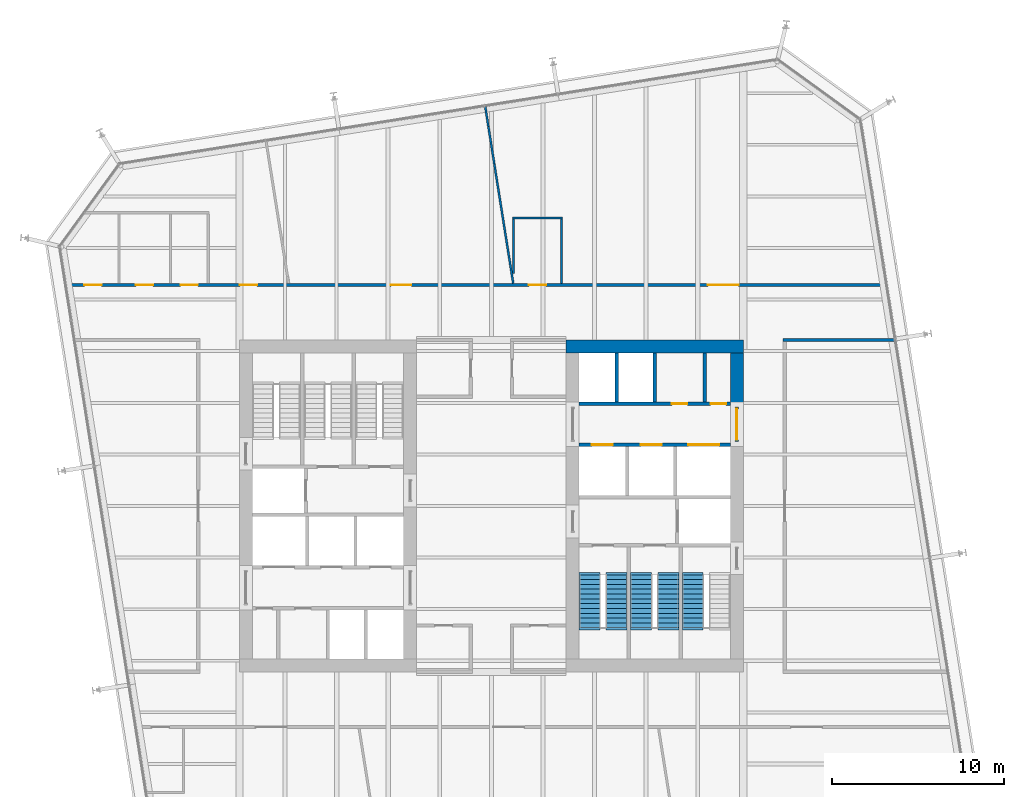
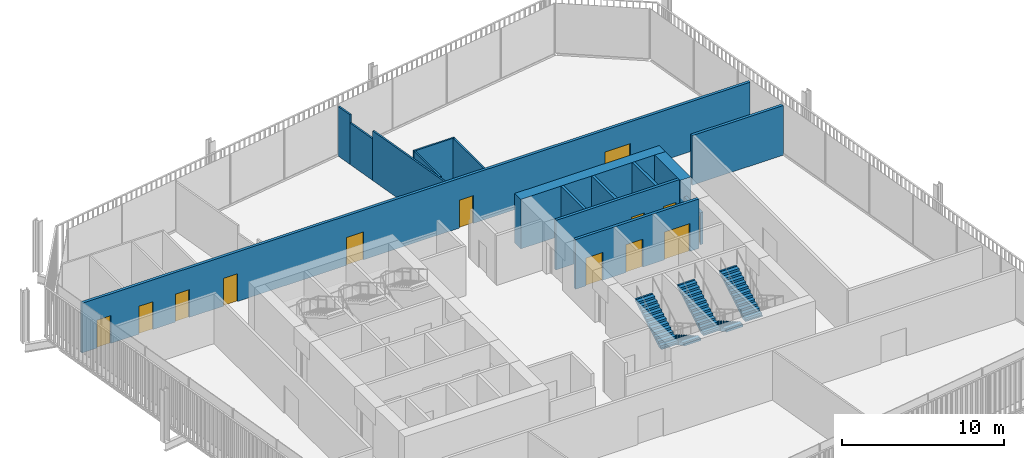
# One storey, part 19 of 21: 16 walls, 13 doors, 5 stair flights, 13 openings, 3 elements without a shape of their own.
"""IFC4 building model written with IfcOpenShell, lengths in metres."""

from ifc_helpers import new_model, si_unit, direction, frame, frame_2d, origin, place, context, subcontext, project, spatial, polyline, rectangle, outline, extrude, material, layer, layer_set, type_object, element, fill, aggregate, save


model = new_model("IFC4")

# Units and contexts
model_context = context("Model", 3, precision=1e-05, world=origin(), true_north=direction((0.0, 1.0)))
body_context = subcontext(model_context, "Body", "Model", "MODEL_VIEW")
ifc_project = project(units=[si_unit("LENGTHUNIT", "METRE"), si_unit("AREAUNIT", "SQUARE_METRE"), si_unit("VOLUMEUNIT", "CUBIC_METRE"), si_unit("PLANEANGLEUNIT", "RADIAN"), si_unit("MASSUNIT", "GRAM", prefix="KILO")], contexts=[model_context])

# Site, building, storey
site_placement = place(None, origin())
site = spatial("IfcSite", under=ifc_project, at=site_placement, CompositionType="ELEMENT")
building_placement = place(site_placement, origin())
building = spatial("IfcBuilding", under=site, at=building_placement, Name="Millrace Tower", CompositionType="ELEMENT")
storey_placement = place(building_placement, frame((0.0, 0.0, 133.39990234375)))
storey = spatial("IfcBuildingStorey", under=building, at=storey_placement, Name="L29", CompositionType="ELEMENT", Elevation=133.39990234375)

# Walls
ifc_material_1 = material(Name="Concrete C70", Category="concrete")
ifc_layer_1 = layer(ifc_material_1, 0.75)
ifc_layer_set_1 = layer_set([ifc_layer_1], Name="Concrete C70")
wall_type_1 = type_object("IfcWallType", Name="Core wall 750 Concrete C70", PredefinedType="SHEAR", material=ifc_layer_set_1)
wall_1_placement = place(storey_placement, frame((14.64990234375, 9.27490234375, 0.0), z_axis=(0.0, 0.0, 1.0), x_axis=(-1.0, 0.0, 0.0)))
element("IfcWall", 1, at=wall_1_placement, inside=storey, type_object=wall_type_1, Name="Core wall E L29", PredefinedType="SHEAR", context=body_context, shape_type="SweptSolid", body=[
    extrude(rectangle(XDim=10.2998046875, YDim=0.75, at=frame_2d((5.14990234375, 0.0))), origin(), (0.0, 0.0, 1.0), 3.739990234375),
])
wall_2_placement = place(storey_placement, frame((14.27490234375, 8.89990234375, 0.0), z_axis=(0.0, 0.0, 1.0), x_axis=(0.0, -1.0, 0.0)))
element("IfcWall", 2, at=wall_2_placement, inside=storey, type_object=wall_type_1, Name="Core wall E L29", PredefinedType="SHEAR", context=body_context, shape_type="SweptSolid", body=[
    extrude(rectangle(XDim=3.14990234375, YDim=0.75, at=frame_2d((1.574951171875, 0.0))), origin(), (0.0, 0.0, 1.0), 3.739990234375),
])
ifc_material_2 = material(Name="Masonry partition, fire-rated", Category="masonry")
ifc_layer_2 = layer(ifc_material_2, 0.199951171875)
ifc_layer_set_2 = layer_set([ifc_layer_2], Name="Masonry partition, fire-rated")
wall_type_2 = type_object("IfcWallType", Name="Corridor wall 200", PredefinedType="PARTITIONING", material=ifc_layer_set_2)
wall_3_placement = place(storey_placement, frame((16.949951171875, 9.64990234375, 0.0), z_axis=(0.0, 0.0, 1.0), x_axis=(1.0, 0.0, 0.0)))
element("IfcWall", 3, at=wall_3_placement, inside=storey, type_object=wall_type_2, Name="Corridor wall L29", PredefinedType="PARTITIONING", context=body_context, shape_type="SweptSolid", body=[
    extrude(rectangle(XDim=6.489501953125, YDim=0.199951171875, at=frame_2d((3.24462890625, 0.0))), origin(), (0.0, 0.0, 1.0), 3.739990234375),
])

# Wall, openings, doors
wall_4_placement = place(storey_placement, frame((-24.7138671875, 12.85009765625, 0.0), z_axis=(0.0, 0.0, 1.0), x_axis=(1.0, 0.0, 0.0)))
wall_4 = element("IfcWall", 4, at=wall_4_placement, inside=storey, type_object=wall_type_2, Name="Corridor wall L29", PredefinedType="PARTITIONING", context=body_context, shape_type="SweptSolid", body=[
    extrude(rectangle(XDim=47.646484375, YDim=0.199951171875, at=frame_2d((23.8232421875, 0.0))), origin(), (0.0, 0.0, 1.0), 3.739990234375),
])
opening_1_placement = place(wall_4_placement, frame((10.094970703125, 0.0, 0.0)))
opening_1 = element("IfcOpeningElement", 5, at=opening_1_placement, cuts=wall_4, Name="Opening 29-P005", PredefinedType="OPENING", context=body_context, shape_type="SweptSolid", body=[
    extrude(rectangle(XDim=1.0, YDim=2.10009765625, at=frame_2d((0.5, 1.050048828125))), frame((0.0, 0.10986328125, 0.0), z_axis=(0.0, -1.0, 0.0), x_axis=(1.0, 0.0, 0.0)), (0.0, 0.0, 1.0), 0.219970703125),
])
opening_2_placement = place(wall_4_placement, frame((1.051025390625, 0.0, 0.0)))
opening_2 = element("IfcOpeningElement", 6, at=opening_2_placement, cuts=wall_4, Name="Opening 29-P006", PredefinedType="OPENING", context=body_context, shape_type="SweptSolid", body=[
    extrude(rectangle(XDim=1.0, YDim=2.10009765625, at=frame_2d((0.5, 1.050048828125))), frame((0.0, 0.10986328125, 0.0), z_axis=(0.0, -1.0, 0.0), x_axis=(1.0, 0.0, 0.0)), (0.0, 0.0, 1.0), 0.219970703125),
])
opening_3_placement = place(wall_4_placement, frame((4.051025390625, 0.0, 0.0)))
opening_3 = element("IfcOpeningElement", 7, at=opening_3_placement, cuts=wall_4, Name="Opening 29-P007", PredefinedType="OPENING", context=body_context, shape_type="SweptSolid", body=[
    extrude(rectangle(XDim=1.0, YDim=2.10009765625, at=frame_2d((0.5, 1.050048828125))), frame((0.0, 0.10986328125, 0.0), z_axis=(0.0, -1.0, 0.0), x_axis=(1.0, 0.0, 0.0)), (0.0, 0.0, 1.0), 0.219970703125),
])
opening_4_placement = place(wall_4_placement, frame((6.65087890625, 0.0, 0.0)))
opening_4 = element("IfcOpeningElement", 8, at=opening_4_placement, cuts=wall_4, Name="Opening 29-P008", PredefinedType="OPENING", context=body_context, shape_type="SweptSolid", body=[
    extrude(rectangle(XDim=1.0, YDim=2.10009765625, at=frame_2d((0.5, 1.050048828125))), frame((0.0, 0.10986328125, 0.0), z_axis=(0.0, -1.0, 0.0), x_axis=(1.0, 0.0, 0.0)), (0.0, 0.0, 1.0), 0.219970703125),
])
opening_5_placement = place(wall_4_placement, frame((18.869384765625, 0.0, 0.0)))
opening_5 = element("IfcOpeningElement", 9, at=opening_5_placement, cuts=wall_4, Name="Opening 29-P009", PredefinedType="OPENING", context=body_context, shape_type="SweptSolid", body=[
    extrude(rectangle(XDim=1.199951171875, YDim=2.10009765625, at=frame_2d((0.60009765625, 1.050048828125))), frame((0.0, 0.10986328125, 0.0), z_axis=(0.0, -1.0, 0.0), x_axis=(1.0, 0.0, 0.0)), (0.0, 0.0, 1.0), 0.219970703125),
])
opening_6_placement = place(wall_4_placement, frame((37.298095703125, 0.0, 0.0)))
opening_6 = element("IfcOpeningElement", 10, at=opening_6_placement, cuts=wall_4, Name="Opening 29-P010", PredefinedType="OPENING", context=body_context, shape_type="SweptSolid", body=[
    extrude(rectangle(XDim=1.800048828125, YDim=2.10009765625, at=frame_2d((0.89990234375, 1.050048828125))), frame((0.0, 0.10986328125, 0.0), z_axis=(0.0, -1.0, 0.0), x_axis=(1.0, 0.0, 0.0)), (0.0, 0.0, 1.0), 0.219970703125),
])
opening_7_placement = place(wall_4_placement, frame((26.89990234375, 0.0, 0.0)))
opening_7 = element("IfcOpeningElement", 11, at=opening_7_placement, cuts=wall_4, Name="Opening 29-P011", PredefinedType="OPENING", context=body_context, shape_type="SweptSolid", body=[
    extrude(rectangle(XDim=1.0, YDim=2.10009765625, at=frame_2d((0.5, 1.050048828125))), frame((0.0, 0.10986328125, 0.0), z_axis=(0.0, -1.0, 0.0), x_axis=(1.0, 0.0, 0.0)), (0.0, 0.0, 1.0), 0.219970703125),
])
ifc_material_3 = material(Name="Steel door set, fire-rated", Category="steel")
door_type_1 = type_object("IfcDoorType", Name="Corridor door 1000 x 2100", OperationType="SINGLE_SWING_LEFT", PredefinedType="DOOR", material=ifc_material_3)
door_1_placement = place(opening_1_placement, origin())
door_1 = element("IfcDoor", 12, at=door_1_placement, inside=storey, type_object=door_type_1, Name="Door 29-P005", OperationType="SINGLE_SWING_LEFT", OverallHeight=2.10009765625, OverallWidth=1.0, PredefinedType="DOOR", context=body_context, shape_type="SweptSolid", body=[
    extrude(rectangle(XDim=1.0, YDim=2.10009765625, at=frame_2d((0.5, 1.050048828125))), frame((0.0, 0.02490234375, 0.0), z_axis=(0.0, -1.0, 0.0), x_axis=(1.0, 0.0, 0.0)), (0.0, 0.0, 1.0), 0.050048828125),
])
fill(opening_1, door_1)
door_2_placement = place(opening_2_placement, origin())
door_2 = element("IfcDoor", 13, at=door_2_placement, inside=storey, type_object=door_type_1, Name="Door 29-P006", OperationType="SINGLE_SWING_LEFT", OverallHeight=2.10009765625, OverallWidth=1.0, PredefinedType="DOOR", context=body_context, shape_type="SweptSolid", body=[
    extrude(rectangle(XDim=1.0, YDim=2.10009765625, at=frame_2d((0.5, 1.050048828125))), frame((0.0, 0.02490234375, 0.0), z_axis=(0.0, -1.0, 0.0), x_axis=(1.0, 0.0, 0.0)), (0.0, 0.0, 1.0), 0.050048828125),
])
fill(opening_2, door_2)
door_3_placement = place(opening_3_placement, origin())
door_3 = element("IfcDoor", 14, at=door_3_placement, inside=storey, type_object=door_type_1, Name="Door 29-P007", OperationType="SINGLE_SWING_LEFT", OverallHeight=2.10009765625, OverallWidth=1.0, PredefinedType="DOOR", context=body_context, shape_type="SweptSolid", body=[
    extrude(rectangle(XDim=1.0, YDim=2.10009765625, at=frame_2d((0.5, 1.050048828125))), frame((0.0, 0.02490234375, 0.0), z_axis=(0.0, -1.0, 0.0), x_axis=(1.0, 0.0, 0.0)), (0.0, 0.0, 1.0), 0.050048828125),
])
fill(opening_3, door_3)
door_4_placement = place(opening_4_placement, origin())
door_4 = element("IfcDoor", 15, at=door_4_placement, inside=storey, type_object=door_type_1, Name="Door 29-P008", OperationType="SINGLE_SWING_LEFT", OverallHeight=2.10009765625, OverallWidth=1.0, PredefinedType="DOOR", context=body_context, shape_type="SweptSolid", body=[
    extrude(rectangle(XDim=1.0, YDim=2.10009765625, at=frame_2d((0.5, 1.050048828125))), frame((0.0, 0.02490234375, 0.0), z_axis=(0.0, -1.0, 0.0), x_axis=(1.0, 0.0, 0.0)), (0.0, 0.0, 1.0), 0.050048828125),
])
fill(opening_4, door_4)
door_5_placement = place(opening_7_placement, origin())
door_5 = element("IfcDoor", 16, at=door_5_placement, inside=storey, type_object=door_type_1, Name="Door 29-P011", OperationType="SINGLE_SWING_RIGHT", OverallHeight=2.10009765625, OverallWidth=1.0, PredefinedType="DOOR", context=body_context, shape_type="SweptSolid", body=[
    extrude(rectangle(XDim=1.0, YDim=2.10009765625, at=frame_2d((0.5, 1.050048828125))), frame((0.0, 0.02490234375, 0.0), z_axis=(0.0, -1.0, 0.0), x_axis=(1.0, 0.0, 0.0)), (0.0, 0.0, 1.0), 0.050048828125),
])
fill(opening_7, door_5)
ifc_material_4 = material(Name="Steel door set, fire-rated", Category="steel")
door_type_2 = type_object("IfcDoorType", Name="Corridor door 1200 x 2100", OperationType="SINGLE_SWING_LEFT", PredefinedType="DOOR", material=ifc_material_4)
door_6_placement = place(opening_5_placement, origin())
door_6 = element("IfcDoor", 17, at=door_6_placement, inside=storey, type_object=door_type_2, Name="Door 29-P009", OperationType="SINGLE_SWING_LEFT", OverallHeight=2.10009765625, OverallWidth=1.199951171875, PredefinedType="DOOR", context=body_context, shape_type="SweptSolid", body=[
    extrude(rectangle(XDim=1.199951171875, YDim=2.10009765625, at=frame_2d((0.60009765625, 1.050048828125))), frame((0.0, 0.02490234375, 0.0), z_axis=(0.0, -1.0, 0.0), x_axis=(1.0, 0.0, 0.0)), (0.0, 0.0, 1.0), 0.050048828125),
])
fill(opening_5, door_6)
ifc_material_5 = material(Name="Steel door set, fire-rated", Category="steel")
door_type_3 = type_object("IfcDoorType", Name="Corridor door 1800 x 2100", OperationType="DOUBLE_DOOR_SINGLE_SWING", PredefinedType="DOOR", material=ifc_material_5)
door_7_placement = place(opening_6_placement, frame((1.800048828125, 0.0, 0.0), z_axis=(0.0, 0.0, 1.0), x_axis=(-1.0, 0.0, 0.0)))
door_7 = element("IfcDoor", 18, at=door_7_placement, inside=storey, type_object=door_type_3, Name="Door 29-P010", OperationType="DOUBLE_DOOR_SINGLE_SWING", OverallHeight=2.10009765625, OverallWidth=1.800048828125, PredefinedType="DOOR", context=body_context, shape_type="SweptSolid", body=[
    extrude(rectangle(XDim=1.800048828125, YDim=2.10009765625, at=frame_2d((0.89990234375, 1.050048828125))), frame((0.0, 0.02490234375, 0.0), z_axis=(0.0, -1.0, 0.0), x_axis=(1.0, 0.0, 0.0)), (0.0, 0.0, 1.0), 0.050048828125),
])
fill(opening_6, door_7)

ifc_material_6 = material(Name="Masonry partition, fire-rated", Category="masonry")
ifc_layer_3 = layer(ifc_material_6, 0.199951171875)
ifc_layer_set_3 = layer_set([ifc_layer_3], Name="Masonry partition, fire-rated")
wall_type_3 = type_object("IfcWallType", Name="Lift shaft wall 200", PredefinedType="PARTITIONING", material=ifc_layer_set_3)
wall_5_placement = place(storey_placement, frame((13.89990234375, 5.949951171875, 0.0), z_axis=(0.0, 0.0, 1.0), x_axis=(-1.0, 0.0, 0.0)))
wall_5 = element("IfcWall", 19, at=wall_5_placement, inside=storey, type_object=wall_type_3, Name="Lift shaft wall E L29", PredefinedType="PARTITIONING", context=body_context, shape_type="SweptSolid", body=[
    extrude(rectangle(XDim=8.7998046875, YDim=0.199951171875, at=frame_2d((4.39990234375, 0.0))), origin(), (0.0, 0.0, 1.0), 3.739990234375),
])
opening_8_placement = place(wall_5_placement, frame((0.25244140625, 0.0, 0.0)))
opening_8 = element("IfcOpeningElement", 20, at=opening_8_placement, cuts=wall_5, Name="Opening 29-C013", PredefinedType="OPENING", context=body_context, shape_type="SweptSolid", body=[
    extrude(rectangle(XDim=0.89990234375, YDim=2.10009765625, at=frame_2d((0.449951171875, 1.050048828125))), frame((0.0, 0.10986328125, 0.0), z_axis=(0.0, -1.0, 0.0), x_axis=(1.0, 0.0, 0.0)), (0.0, 0.0, 1.0), 0.219970703125),
])
opening_9_placement = place(wall_5_placement, frame((2.50244140625, 0.0, 0.0)))
opening_9 = element("IfcOpeningElement", 21, at=opening_9_placement, cuts=wall_5, Name="Opening 29-C014", PredefinedType="OPENING", context=body_context, shape_type="SweptSolid", body=[
    extrude(rectangle(XDim=0.89990234375, YDim=2.10009765625, at=frame_2d((0.449951171875, 1.050048828125))), frame((0.0, 0.10986328125, 0.0), z_axis=(0.0, -1.0, 0.0), x_axis=(1.0, 0.0, 0.0)), (0.0, 0.0, 1.0), 0.219970703125),
])
ifc_material_7 = material(Name="Steel door, fire-rated", Category="steel")
door_type_4 = type_object("IfcDoorType", Name="Service room door 900 x 2100", OperationType="SINGLE_SWING_LEFT", PredefinedType="DOOR", material=ifc_material_7)
door_8_placement = place(opening_8_placement, frame((0.89990234375, 0.0, 0.0), z_axis=(0.0, 0.0, 1.0), x_axis=(-1.0, 0.0, 0.0)))
door_8 = element("IfcDoor", 22, at=door_8_placement, inside=storey, type_object=door_type_4, Name="Service room door 29-C013", OperationType="SINGLE_SWING_RIGHT", OverallHeight=2.10009765625, OverallWidth=0.89990234375, PredefinedType="DOOR", context=body_context, shape_type="SweptSolid", body=[
    extrude(rectangle(XDim=0.89990234375, YDim=2.10009765625, at=frame_2d((0.449951171875, 1.050048828125))), frame((0.0, 0.02490234375, 0.0), z_axis=(0.0, -1.0, 0.0), x_axis=(1.0, 0.0, 0.0)), (0.0, 0.0, 1.0), 0.050048828125),
])
fill(opening_8, door_8)
door_9_placement = place(opening_9_placement, frame((0.89990234375, 0.0, 0.0), z_axis=(0.0, 0.0, 1.0), x_axis=(-1.0, 0.0, 0.0)))
door_9 = element("IfcDoor", 23, at=door_9_placement, inside=storey, type_object=door_type_4, Name="Service room door 29-C014", OperationType="SINGLE_SWING_RIGHT", OverallHeight=2.10009765625, OverallWidth=0.89990234375, PredefinedType="DOOR", context=body_context, shape_type="SweptSolid", body=[
    extrude(rectangle(XDim=0.89990234375, YDim=2.10009765625, at=frame_2d((0.449951171875, 1.050048828125))), frame((0.0, 0.02490234375, 0.0), z_axis=(0.0, -1.0, 0.0), x_axis=(1.0, 0.0, 0.0)), (0.0, 0.0, 1.0), 0.050048828125),
])
fill(opening_9, door_9)

wall_6_placement = place(storey_placement, frame((13.89990234375, 3.550048828125, 0.0), z_axis=(0.0, 0.0, 1.0), x_axis=(-1.0, 0.0, 0.0)))
wall_6 = element("IfcWall", 24, at=wall_6_placement, inside=storey, type_object=wall_type_3, Name="Lift shaft wall E L29", PredefinedType="PARTITIONING", context=body_context, shape_type="SweptSolid", body=[
    extrude(rectangle(XDim=8.7998046875, YDim=0.199951171875, at=frame_2d((4.39990234375, 0.0))), origin(), (0.0, 0.0, 1.0), 3.739990234375),
])
opening_10_placement = place(wall_6_placement, frame((0.64990234375, 0.0, 0.0)))
opening_10 = element("IfcOpeningElement", 25, at=opening_10_placement, cuts=wall_6, Name="Opening 29-LD13", PredefinedType="OPENING", context=body_context, shape_type="SweptSolid", body=[
    extrude(rectangle(XDim=1.800048828125, YDim=2.10009765625, at=frame_2d((0.89990234375, 1.050048828125))), frame((0.0, 0.10986328125, 0.0), z_axis=(0.0, -1.0, 0.0), x_axis=(1.0, 0.0, 0.0)), (0.0, 0.0, 1.0), 0.219970703125),
])
opening_11_placement = place(wall_6_placement, frame((4.0, 0.0, 0.0)))
opening_11 = element("IfcOpeningElement", 26, at=opening_11_placement, cuts=wall_6, Name="Opening 29-LD14", PredefinedType="OPENING", context=body_context, shape_type="SweptSolid", body=[
    extrude(rectangle(XDim=1.199951171875, YDim=2.10009765625, at=frame_2d((0.60009765625, 1.050048828125))), frame((0.0, 0.10986328125, 0.0), z_axis=(0.0, -1.0, 0.0), x_axis=(1.0, 0.0, 0.0)), (0.0, 0.0, 1.0), 0.219970703125),
])
opening_12_placement = place(wall_6_placement, frame((6.85009765625, 0.0, 0.0)))
opening_12 = element("IfcOpeningElement", 27, at=opening_12_placement, cuts=wall_6, Name="Opening 29-LD15", PredefinedType="OPENING", context=body_context, shape_type="SweptSolid", body=[
    extrude(rectangle(XDim=1.199951171875, YDim=2.10009765625, at=frame_2d((0.60009765625, 1.050048828125))), frame((0.0, 0.10986328125, 0.0), z_axis=(0.0, -1.0, 0.0), x_axis=(1.0, 0.0, 0.0)), (0.0, 0.0, 1.0), 0.219970703125),
])
ifc_material_8 = material(Name="Stainless steel, fire-rated", Category="steel")
door_type_5 = type_object("IfcDoorType", Name="Lift landing door 1200 x 2100", OperationType="DOUBLE_DOOR_SLIDING", PredefinedType="DOOR", material=ifc_material_8)
door_10_placement = place(opening_11_placement, origin())
door_10 = element("IfcDoor", 28, at=door_10_placement, inside=storey, type_object=door_type_5, Name="Lift landing door LF14 L29", OperationType="DOUBLE_DOOR_SLIDING", OverallHeight=2.10009765625, OverallWidth=1.199951171875, PredefinedType="DOOR", context=body_context, shape_type="SweptSolid", body=[
    extrude(rectangle(XDim=1.199951171875, YDim=2.10009765625, at=frame_2d((0.60009765625, 1.050048828125))), frame((0.0, 0.02490234375, 0.0), z_axis=(0.0, -1.0, 0.0), x_axis=(1.0, 0.0, 0.0)), (0.0, 0.0, 1.0), 0.050048828125),
])
fill(opening_11, door_10)
door_11_placement = place(opening_12_placement, origin())
door_11 = element("IfcDoor", 29, at=door_11_placement, inside=storey, type_object=door_type_5, Name="Lift landing door LF15 L29", OperationType="DOUBLE_DOOR_SLIDING", OverallHeight=2.10009765625, OverallWidth=1.199951171875, PredefinedType="DOOR", context=body_context, shape_type="SweptSolid", body=[
    extrude(rectangle(XDim=1.199951171875, YDim=2.10009765625, at=frame_2d((0.60009765625, 1.050048828125))), frame((0.0, 0.02490234375, 0.0), z_axis=(0.0, -1.0, 0.0), x_axis=(1.0, 0.0, 0.0)), (0.0, 0.0, 1.0), 0.050048828125),
])
fill(opening_12, door_11)
ifc_material_9 = material(Name="Stainless steel, fire-rated", Category="steel")
door_type_6 = type_object("IfcDoorType", Name="Lift landing door 1800 x 2100", OperationType="DOUBLE_DOOR_SLIDING", PredefinedType="DOOR", material=ifc_material_9)
door_12_placement = place(opening_10_placement, origin())
door_12 = element("IfcDoor", 30, at=door_12_placement, inside=storey, type_object=door_type_6, Name="Lift landing door LF13 L29", OperationType="DOUBLE_DOOR_SLIDING", OverallHeight=2.10009765625, OverallWidth=1.800048828125, PredefinedType="DOOR", context=body_context, shape_type="SweptSolid", body=[
    extrude(rectangle(XDim=1.800048828125, YDim=2.10009765625, at=frame_2d((0.89990234375, 1.050048828125))), frame((0.0, 0.02490234375, 0.0), z_axis=(0.0, -1.0, 0.0), x_axis=(1.0, 0.0, 0.0)), (0.0, 0.0, 1.0), 0.050048828125),
])
fill(opening_10, door_12)

# Walls
for number, where, z_axis, x_axis, name in (
    (31, (9.5, 8.89990234375, 0.0), (0.0, 0.0, 1.0), (0.0, -1.0, 0.0), "Lift shaft wall E L29"),
    (32, (7.300048828125, 8.89990234375, 0.0), (0.0, 0.0, 1.0), (0.0, -1.0, 0.0), "Lift shaft wall E L29"),
):
    element("IfcWall", number, at=place(storey_placement, frame(where, z_axis=z_axis, x_axis=x_axis)), inside=storey, type_object=wall_type_3, Name=name, PredefinedType="PARTITIONING", context=body_context, shape_type="SweptSolid", body=[
        extrude(rectangle(XDim=2.849853515625, YDim=0.199951171875, at=frame_2d((1.4248046875, 0.0))), origin(), (0.0, 0.0, 1.0), 3.739990234375),
    ])

# Wall, opening, door
ifc_material_10 = material(Name="Masonry partition, fire-rated", Category="masonry")
ifc_layer_4 = layer(ifc_material_10, 0.199951171875)
ifc_layer_set_4 = layer_set([ifc_layer_4], Name="Masonry partition, fire-rated")
wall_type_4 = type_object("IfcWallType", Name="Lobby wall 200", PredefinedType="PARTITIONING", material=ifc_layer_set_4)
wall_7_placement = place(storey_placement, frame((14.27490234375, 5.75, 0.0), z_axis=(0.0, 0.0, 1.0), x_axis=(0.0, -1.0, 0.0)))
wall_7 = element("IfcWall", 33, at=wall_7_placement, inside=storey, type_object=wall_type_4, Name="Lobby wall E L29", PredefinedType="PARTITIONING", context=body_context, shape_type="SweptSolid", body=[
    extrude(rectangle(XDim=2.0, YDim=0.199951171875, at=frame_2d((1.0, 0.0))), origin(), (0.0, 0.0, 1.0), 2.400146484375),
])
opening_13_placement = place(wall_7_placement, frame((0.10009765625, 0.0, 0.0)))
opening_13 = element("IfcOpeningElement", 34, at=opening_13_placement, cuts=wall_7, Name="Opening 29-C009", PredefinedType="OPENING", context=body_context, shape_type="SweptSolid", body=[
    extrude(rectangle(XDim=1.800048828125, YDim=2.10009765625, at=frame_2d((0.89990234375, 1.050048828125))), frame((0.0, 0.10986328125, 0.0), z_axis=(0.0, -1.0, 0.0), x_axis=(1.0, 0.0, 0.0)), (0.0, 0.0, 1.0), 0.219970703125),
])
ifc_material_11 = material(Name="Steel door, fire-rated", Category="steel")
door_type_7 = type_object("IfcDoorType", Name="Lobby door 1800 x 2100", OperationType="DOUBLE_DOOR_SINGLE_SWING", PredefinedType="DOOR", material=ifc_material_11)
door_13_placement = place(opening_13_placement, origin())
door_13 = element("IfcDoor", 35, at=door_13_placement, inside=storey, type_object=door_type_7, Name="Lobby door 29-C009", OperationType="DOUBLE_DOOR_SINGLE_SWING", OverallHeight=2.10009765625, OverallWidth=1.800048828125, PredefinedType="DOOR", context=body_context, shape_type="SweptSolid", body=[
    extrude(rectangle(XDim=1.800048828125, YDim=2.10009765625, at=frame_2d((0.89990234375, 1.050048828125))), frame((0.0, 0.02490234375, 0.0), z_axis=(0.0, -1.0, 0.0), x_axis=(1.0, 0.0, 0.0)), (0.0, 0.0, 1.0), 0.050048828125),
])
fill(opening_13, door_13)

# Walls
ifc_material_12 = material(Name="Gypsum board partition")
ifc_layer_5 = layer(ifc_material_12, 0.1201171875)
ifc_layer_set_5 = layer_set([ifc_layer_5], Name="Gypsum board partition")
wall_type_5 = type_object("IfcWallType", Name="Partition wall 120", PredefinedType="PARTITIONING", material=ifc_layer_set_5)
wall_8_placement = place(storey_placement, frame((-0.35791015625, 23.2265625, 0.0), z_axis=(0.0, 0.0, 1.0), x_axis=(0.156600767985, -0.987661986444, 0.0)))
element("IfcWall", 36, at=wall_8_placement, inside=storey, type_object=wall_type_5, Name="Partition wall L29", PredefinedType="PARTITIONING", context=body_context, shape_type="SweptSolid", body=[
    extrude(rectangle(XDim=1.1787109375, YDim=0.1201171875, at=frame_2d((0.58935546875, 0.0))), origin(), (0.0, 0.0, 1.0), 3.739990234375),
])
wall_9_placement = place(storey_placement, frame((-0.17333984375, 22.0625, 0.0), z_axis=(0.0, 0.0, 1.0), x_axis=(0.156375374173, -0.987697697857, 0.0)))
element("IfcWall", 37, at=wall_9_placement, inside=storey, type_object=wall_type_5, Name="Partition wall L29", PredefinedType="PARTITIONING", context=body_context, shape_type="SweptSolid", body=[
    extrude(rectangle(XDim=2.217041015625, YDim=0.1201171875, at=frame_2d((1.1083984375, 0.0))), origin(), (0.0, 0.0, 1.0), 3.133056640625),
])
wall_10_placement = place(storey_placement, frame((0.17333984375, 19.872802734375, 0.0), z_axis=(0.0, 0.0, 1.0), x_axis=(0.156470438689, -0.987682642257, 0.0)))
element("IfcWall", 38, at=wall_10_placement, inside=storey, type_object=wall_type_5, Name="Partition wall L29", PredefinedType="PARTITIONING", context=body_context, shape_type="SweptSolid", body=[
    extrude(rectangle(XDim=7.010498046875, YDim=0.1201171875, at=frame_2d((3.50537109375, 0.0))), origin(), (0.0, 0.0, 1.0), 3.739990234375),
])
wall_11_placement = place(storey_placement, frame((1.22607421875, 16.75, 0.0), z_axis=(0.0, 0.0, 1.0), x_axis=(1.0, 0.0, 0.0)))
element("IfcWall", 39, at=wall_11_placement, inside=storey, type_object=wall_type_5, Name="Partition wall L29", PredefinedType="PARTITIONING", context=body_context, shape_type="SweptSolid", body=[
    extrude(rectangle(XDim=2.919921875, YDim=0.1201171875, at=frame_2d((1.4599609375, 0.0))), origin(), (0.0, 0.0, 1.0), 3.739990234375),
])
wall_12_placement = place(storey_placement, frame((4.0859375, 12.949951171875, 0.0), z_axis=(0.0, 0.0, 1.0), x_axis=(0.0, 1.0, 0.0)))
element("IfcWall", 40, at=wall_12_placement, inside=storey, type_object=wall_type_5, Name="Partition wall L29", PredefinedType="PARTITIONING", context=body_context, shape_type="SweptSolid", body=[
    extrude(rectangle(XDim=3.739990234375, YDim=0.1201171875, at=frame_2d((1.8701171875, 0.0))), origin(), (0.0, 0.0, 1.0), 3.739990234375),
])
wall_13_placement = place(storey_placement, frame((1.285888671875, 13.517578125, 0.0), z_axis=(0.0, 0.0, 1.0), x_axis=(0.0, 1.0, 0.0)))
element("IfcWall", 41, at=wall_13_placement, inside=storey, type_object=wall_type_5, Name="Partition wall L29", PredefinedType="PARTITIONING", context=body_context, shape_type="SweptSolid", body=[
    extrude(rectangle(XDim=3.17236328125, YDim=0.1201171875, at=frame_2d((1.586181640625, 0.0))), origin(), (0.0, 0.0, 1.0), 3.739990234375),
])
ifc_material_13 = material(Name="Masonry partition, fire-rated", Category="masonry")
ifc_layer_6 = layer(ifc_material_13, 0.199951171875)
ifc_layer_set_6 = layer_set([ifc_layer_6], Name="Masonry partition, fire-rated")
wall_type_6 = type_object("IfcWallType", Name="Room partition 200", PredefinedType="PARTITIONING", material=ifc_layer_set_6)
wall_14_placement = place(storey_placement, frame((12.39501953125, 8.89990234375, 0.0), z_axis=(0.0, 0.0, 1.0), x_axis=(0.0, -1.0, 0.0)))
element("IfcWall", 42, at=wall_14_placement, inside=storey, type_object=wall_type_6, Name="Room partition E L29", PredefinedType="PARTITIONING", context=body_context, shape_type="SweptSolid", body=[
    extrude(rectangle(XDim=2.849853515625, YDim=0.199951171875, at=frame_2d((1.4248046875, 0.0))), origin(), (0.0, 0.0, 1.0), 3.739990234375),
])

# Stair, stair flight
ifc_material_14 = material(Name="Concrete C35", Category="concrete")
stair_type = type_object("IfcStairType", Name="Exit stair", PredefinedType="HALF_TURN_STAIR", material=ifc_material_14)
placement = place(storey_placement, origin())
stair_1 = element("IfcStair", 43, at=placement, inside=storey, type_object=stair_type, Name="Stair 1 E L29", PredefinedType="HALF_TURN_STAIR")
ifc_material_15 = material(Name="Concrete C35", Category="concrete")
stair_flight_type = type_object("IfcStairFlightType", Name="Exit stair flight", PredefinedType="STRAIGHT", material=ifc_material_15)
stair_flight_1_placement = place(storey_placement, frame((11.7099609375, -7.080078125, 1.9501953125), z_axis=(0.0, 0.0, 1.0), x_axis=(0.0, 1.0, 0.0)))
stair_flight_1 = element("IfcStairFlight", 44, at=stair_flight_1_placement, type_object=stair_flight_type, Name="ST12 flight 2", NumberOfRisers=12, NumberOfTreads=11, PredefinedType="STRAIGHT", RiserHeight=0.1625, TreadLength=0.28, context=body_context, shape_type="SweptSolid", body=[
    extrude(outline(polyline([(-0.1201171875, -0.0400390625), (-0.1201171875, 0.0), (0.0, 0.0), (0.0, 0.16259765625), (0.280029296875, 0.16259765625), (0.280029296875, 0.324951171875), (0.56005859375, 0.324951171875), (0.56005859375, 0.487548828125), (0.840087890625, 0.487548828125), (0.840087890625, 0.64990234375), (1.1201171875, 0.64990234375), (1.1201171875, 0.8125), (1.39990234375, 0.8125), (1.39990234375, 0.97509765625), (1.679931640625, 0.97509765625), (1.679931640625, 1.137451171875), (1.9599609375, 1.137451171875), (1.9599609375, 1.300048828125), (2.239990234375, 1.300048828125), (2.239990234375, 1.46240234375), (2.52001953125, 1.46240234375), (2.52001953125, 1.625), (2.800048828125, 1.625), (2.800048828125, 1.78759765625), (3.080078125, 1.78759765625), (3.080078125, 1.8076171875), (3.199951171875, 1.8076171875), (3.199951171875, 1.6142578125), (3.080078125, 1.6142578125), (0.298583984375, 0.0), (0.298583984375, -0.0400390625), (-0.1201171875, -0.0400390625)])), frame((0.0, 0.60986328125, 0.0), z_axis=(0.0, -1.0, 0.0), x_axis=(1.0, 0.0, 0.0)), (0.0, 0.0, 1.0), 1.219970703125),
])
aggregate(stair_1, [stair_flight_1])

# Stair, stair flights
stair_2 = element("IfcStair", 45, at=placement, inside=storey, type_object=stair_type, Name="Stair 2 E L29", PredefinedType="HALF_TURN_STAIR")
stair_flight_2_placement = place(storey_placement, frame((10.2900390625, -4.0, 0.0), z_axis=(0.0, 0.0, 1.0), x_axis=(0.0, -1.0, 0.0)))
stair_flight_2 = element("IfcStairFlight", 46, at=stair_flight_2_placement, type_object=stair_flight_type, Name="ST12 flight 1", NumberOfRisers=12, NumberOfTreads=11, PredefinedType="STRAIGHT", RiserHeight=0.1625, TreadLength=0.28, context=body_context, shape_type="SweptSolid", body=[
    extrude(outline(polyline([(-0.1201171875, -0.0400390625), (-0.1201171875, 0.0), (0.0, 0.0), (0.0, 0.16259765625), (0.280029296875, 0.16259765625), (0.280029296875, 0.324951171875), (0.56005859375, 0.324951171875), (0.56005859375, 0.487548828125), (0.840087890625, 0.487548828125), (0.840087890625, 0.64990234375), (1.1201171875, 0.64990234375), (1.1201171875, 0.8125), (1.39990234375, 0.8125), (1.39990234375, 0.97509765625), (1.679931640625, 0.97509765625), (1.679931640625, 1.137451171875), (1.9599609375, 1.137451171875), (1.9599609375, 1.300048828125), (2.239990234375, 1.300048828125), (2.239990234375, 1.46240234375), (2.52001953125, 1.46240234375), (2.52001953125, 1.625), (2.800048828125, 1.625), (2.800048828125, 1.78759765625), (3.080078125, 1.78759765625), (3.080078125, 1.8076171875), (3.199951171875, 1.8076171875), (3.199951171875, 1.6142578125), (3.080078125, 1.6142578125), (0.298583984375, 0.0), (0.298583984375, -0.0400390625), (-0.1201171875, -0.0400390625)])), frame((0.0, 0.60986328125, 0.0), z_axis=(0.0, -1.0, 0.0), x_axis=(1.0, 0.0, 0.0)), (0.0, 0.0, 1.0), 1.219970703125),
])
stair_flight_3_placement = place(storey_placement, frame((8.7099609375, -7.080078125, 1.9501953125), z_axis=(0.0, 0.0, 1.0), x_axis=(0.0, 1.0, 0.0)))
stair_flight_3 = element("IfcStairFlight", 47, at=stair_flight_3_placement, type_object=stair_flight_type, Name="ST12 flight 2", NumberOfRisers=12, NumberOfTreads=11, PredefinedType="STRAIGHT", RiserHeight=0.1625, TreadLength=0.28, context=body_context, shape_type="SweptSolid", body=[
    extrude(outline(polyline([(-0.1201171875, -0.0400390625), (-0.1201171875, 0.0), (0.0, 0.0), (0.0, 0.16259765625), (0.280029296875, 0.16259765625), (0.280029296875, 0.324951171875), (0.56005859375, 0.324951171875), (0.56005859375, 0.487548828125), (0.840087890625, 0.487548828125), (0.840087890625, 0.64990234375), (1.1201171875, 0.64990234375), (1.1201171875, 0.8125), (1.39990234375, 0.8125), (1.39990234375, 0.97509765625), (1.679931640625, 0.97509765625), (1.679931640625, 1.137451171875), (1.9599609375, 1.137451171875), (1.9599609375, 1.300048828125), (2.239990234375, 1.300048828125), (2.239990234375, 1.46240234375), (2.52001953125, 1.46240234375), (2.52001953125, 1.625), (2.800048828125, 1.625), (2.800048828125, 1.78759765625), (3.080078125, 1.78759765625), (3.080078125, 1.8076171875), (3.199951171875, 1.8076171875), (3.199951171875, 1.6142578125), (3.080078125, 1.6142578125), (0.298583984375, 0.0), (0.298583984375, -0.0400390625), (-0.1201171875, -0.0400390625)])), frame((0.0, 0.60986328125, 0.0), z_axis=(0.0, -1.0, 0.0), x_axis=(1.0, 0.0, 0.0)), (0.0, 0.0, 1.0), 1.219970703125),
])
aggregate(stair_2, [stair_flight_2, stair_flight_3])

stair_3 = element("IfcStair", 48, at=placement, inside=storey, type_object=stair_type, Name="Stair 3 E L29", PredefinedType="HALF_TURN_STAIR")
stair_flight_4_placement = place(storey_placement, frame((7.2900390625, -4.0, 0.0), z_axis=(0.0, 0.0, 1.0), x_axis=(0.0, -1.0, 0.0)))
stair_flight_4 = element("IfcStairFlight", 49, at=stair_flight_4_placement, type_object=stair_flight_type, Name="ST12 flight 1", NumberOfRisers=12, NumberOfTreads=11, PredefinedType="STRAIGHT", RiserHeight=0.1625, TreadLength=0.28, context=body_context, shape_type="SweptSolid", body=[
    extrude(outline(polyline([(-0.1201171875, -0.0400390625), (-0.1201171875, 0.0), (0.0, 0.0), (0.0, 0.16259765625), (0.280029296875, 0.16259765625), (0.280029296875, 0.324951171875), (0.56005859375, 0.324951171875), (0.56005859375, 0.487548828125), (0.840087890625, 0.487548828125), (0.840087890625, 0.64990234375), (1.1201171875, 0.64990234375), (1.1201171875, 0.8125), (1.39990234375, 0.8125), (1.39990234375, 0.97509765625), (1.679931640625, 0.97509765625), (1.679931640625, 1.137451171875), (1.9599609375, 1.137451171875), (1.9599609375, 1.300048828125), (2.239990234375, 1.300048828125), (2.239990234375, 1.46240234375), (2.52001953125, 1.46240234375), (2.52001953125, 1.625), (2.800048828125, 1.625), (2.800048828125, 1.78759765625), (3.080078125, 1.78759765625), (3.080078125, 1.8076171875), (3.199951171875, 1.8076171875), (3.199951171875, 1.6142578125), (3.080078125, 1.6142578125), (0.298583984375, 0.0), (0.298583984375, -0.0400390625), (-0.1201171875, -0.0400390625)])), frame((0.0, 0.60986328125, 0.0), z_axis=(0.0, -1.0, 0.0), x_axis=(1.0, 0.0, 0.0)), (0.0, 0.0, 1.0), 1.219970703125),
])
stair_flight_5_placement = place(storey_placement, frame((5.7099609375, -7.080078125, 1.9501953125), z_axis=(0.0, 0.0, 1.0), x_axis=(0.0, 1.0, 0.0)))
stair_flight_5 = element("IfcStairFlight", 50, at=stair_flight_5_placement, type_object=stair_flight_type, Name="ST12 flight 2", NumberOfRisers=12, NumberOfTreads=11, PredefinedType="STRAIGHT", RiserHeight=0.1625, TreadLength=0.28, context=body_context, shape_type="SweptSolid", body=[
    extrude(outline(polyline([(-0.1201171875, -0.0400390625), (-0.1201171875, 0.0), (0.0, 0.0), (0.0, 0.16259765625), (0.280029296875, 0.16259765625), (0.280029296875, 0.324951171875), (0.56005859375, 0.324951171875), (0.56005859375, 0.487548828125), (0.840087890625, 0.487548828125), (0.840087890625, 0.64990234375), (1.1201171875, 0.64990234375), (1.1201171875, 0.8125), (1.39990234375, 0.8125), (1.39990234375, 0.97509765625), (1.679931640625, 0.97509765625), (1.679931640625, 1.137451171875), (1.9599609375, 1.137451171875), (1.9599609375, 1.300048828125), (2.239990234375, 1.300048828125), (2.239990234375, 1.46240234375), (2.52001953125, 1.46240234375), (2.52001953125, 1.625), (2.800048828125, 1.625), (2.800048828125, 1.78759765625), (3.080078125, 1.78759765625), (3.080078125, 1.8076171875), (3.199951171875, 1.8076171875), (3.199951171875, 1.6142578125), (3.080078125, 1.6142578125), (0.298583984375, 0.0), (0.298583984375, -0.0400390625), (-0.1201171875, -0.0400390625)])), frame((0.0, 0.60986328125, 0.0), z_axis=(0.0, -1.0, 0.0), x_axis=(1.0, 0.0, 0.0)), (0.0, 0.0, 1.0), 1.219970703125),
])
aggregate(stair_3, [stair_flight_4, stair_flight_5])

save(model, "model.ifc")
